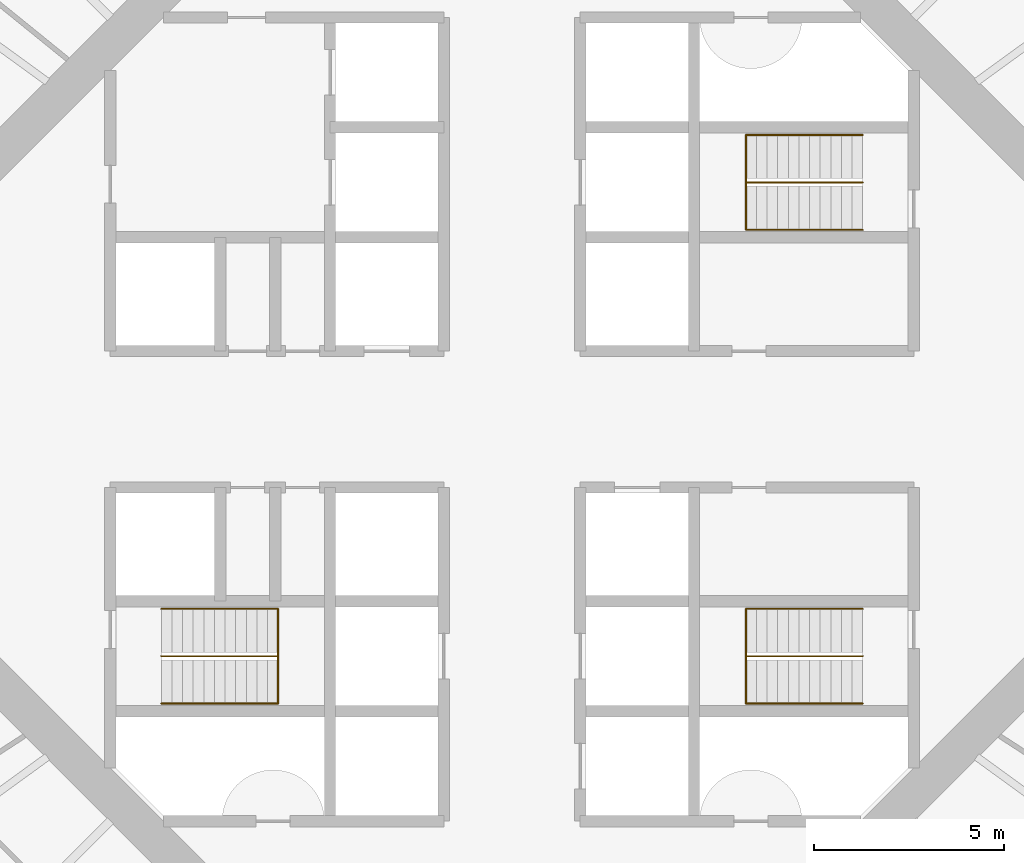
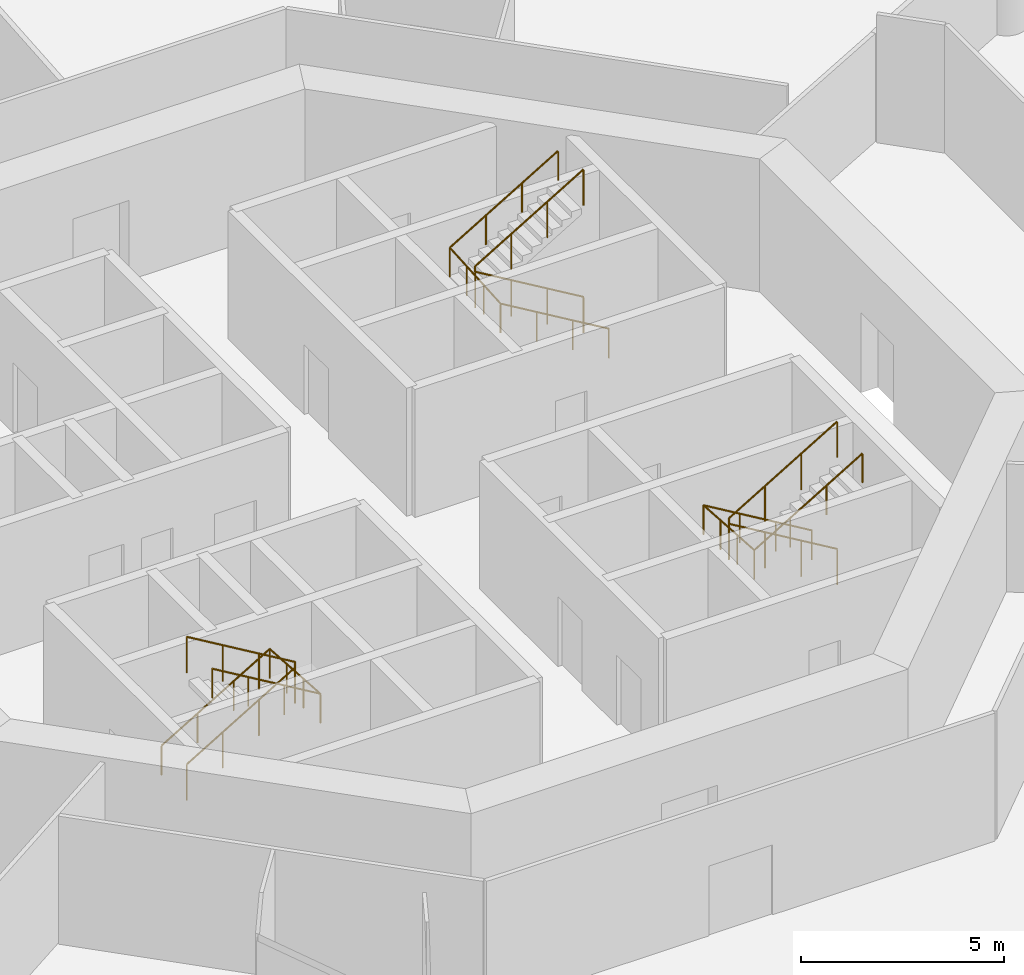
# One storey, part 17 of 17: 6 railings.
"""IFC4 building model written with IfcOpenShell, lengths in metres."""

from ifc_helpers import new_model, si_unit, direction, frame, origin, origin_2d, place, context, subcontext, project, spatial, circle, extrude, material, type_object, element, save


model = new_model("IFC4")

# Units and contexts
model_context = context("Model", 3, precision=1e-05, world=origin(), true_north=direction((0.0, 1.0)))
body_context = subcontext(model_context, "Body", "Model", "MODEL_VIEW")
ifc_project = project(units=[si_unit("LENGTHUNIT", "METRE"), si_unit("AREAUNIT", "SQUARE_METRE"), si_unit("VOLUMEUNIT", "CUBIC_METRE"), si_unit("PLANEANGLEUNIT", "RADIAN"), si_unit("MASSUNIT", "GRAM", prefix="KILO")], contexts=[model_context])

# Site, building, storey
site_placement = place(None, origin())
site = spatial("IfcSite", under=ifc_project, at=site_placement, CompositionType="ELEMENT")
building_placement = place(site_placement, origin())
building = spatial("IfcBuilding", under=site, at=building_placement, Name="Entoto Ring Tower", CompositionType="ELEMENT")
storey_placement = place(building_placement, frame((0.0, 0.0, 160.0)))
storey = spatial("IfcBuildingStorey", under=building, at=storey_placement, Name="L36", CompositionType="ELEMENT", Elevation=160.0)

# Railings
ifc_material_1 = material(Name="Steel S275", Category="steel")
railing_type_1 = type_object("IfcRailingType", Name="Stair guard 1100 mm steel", PredefinedType="GUARDRAIL", material=ifc_material_1)
railing_1_placement = place(storey_placement, frame((99.25, 86.25, 0.166748046875)))
element("IfcRailing", 1, at=railing_1_placement, inside=storey, type_object=railing_type_1, Name="Guard ST1", PredefinedType="GUARDRAIL", context=body_context, shape_type="SweptSolid", body=[
    extrude(circle(Radius=0.02392578125, at=origin_2d()), frame((0.0, 0.0, 1.076171875), z_axis=(-0.859308565015, 0.0, 0.511457515432), x_axis=(0.0, -1.0, 0.0)), (0.0, 0.0, 1.0), 3.58447265625),
    extrude(circle(Radius=0.02392578125, at=origin_2d()), frame((-3.080078125, 0.0, 2.9091796875), z_axis=(0.0, 0.0, 1.0), x_axis=(1.0, 0.0, 0.0)), (0.0, 0.0, 1.0), 0.166748046875),
    extrude(circle(Radius=0.02392578125, at=origin_2d()), frame((-3.080078125, 0.0, 3.076171875), z_axis=(0.859308565015, 0.0, 0.511457515432), x_axis=(0.0, 1.0, 0.0)), (0.0, 0.0, 1.0), 3.58447265625),
    extrude(circle(Radius=0.02099609375, at=origin_2d()), origin(), (0.0, 0.0, 1.0), 1.052001953125),
    extrude(circle(Radius=0.02099609375, at=origin_2d()), frame((-1.026611328125, 0.0, 0.611083984375)), (0.0, 0.0, 1.0), 1.052001953125),
    extrude(circle(Radius=0.02099609375, at=origin_2d()), frame((-2.053466796875, 0.0, 1.22216796875)), (0.0, 0.0, 1.0), 1.052001953125),
    extrude(circle(Radius=0.02099609375, at=origin_2d()), frame((-3.080078125, 0.0, 1.833251953125)), (0.0, 0.0, 1.0), 1.052001953125),
    extrude(circle(Radius=0.02099609375, at=origin_2d()), frame((-3.080078125, 0.0, 2.0)), (0.0, 0.0, 1.0), 1.052001953125),
    extrude(circle(Radius=0.02099609375, at=origin_2d()), frame((-2.053466796875, 0.0, 2.611083984375)), (0.0, 0.0, 1.0), 1.052001953125),
    extrude(circle(Radius=0.02099609375, at=origin_2d()), frame((-1.026611328125, 0.0, 3.22216796875)), (0.0, 0.0, 1.0), 1.052001953125),
    extrude(circle(Radius=0.02099609375, at=origin_2d()), frame((0.0, 0.0, 3.833251953125)), (0.0, 0.0, 1.0), 1.052001953125),
])
railing_2_placement = place(storey_placement, frame((80.75, 73.75, 0.166748046875)))
element("IfcRailing", 2, at=railing_2_placement, inside=storey, type_object=railing_type_1, Name="Guard ST2", PredefinedType="GUARDRAIL", context=body_context, shape_type="SweptSolid", body=[
    extrude(circle(Radius=0.02392578125, at=origin_2d()), frame((0.0, 0.0, 1.076171875), z_axis=(0.859308565015, 0.0, 0.511457515432), x_axis=(0.0, 1.0, 0.0)), (0.0, 0.0, 1.0), 3.58447265625),
    extrude(circle(Radius=0.02392578125, at=origin_2d()), frame((3.080078125, 0.0, 2.9091796875), z_axis=(0.0, 0.0, 1.0), x_axis=(1.0, 0.0, 0.0)), (0.0, 0.0, 1.0), 0.166748046875),
    extrude(circle(Radius=0.02392578125, at=origin_2d()), frame((3.080078125, 0.0, 3.076171875), z_axis=(-0.859308565015, 0.0, 0.511457515432), x_axis=(0.0, -1.0, 0.0)), (0.0, 0.0, 1.0), 3.58447265625),
    extrude(circle(Radius=0.02099609375, at=origin_2d()), origin(), (0.0, 0.0, 1.0), 1.052001953125),
    extrude(circle(Radius=0.02099609375, at=origin_2d()), frame((1.026611328125, 0.0, 0.611083984375)), (0.0, 0.0, 1.0), 1.052001953125),
    extrude(circle(Radius=0.02099609375, at=origin_2d()), frame((2.053466796875, 0.0, 1.22216796875)), (0.0, 0.0, 1.0), 1.052001953125),
    extrude(circle(Radius=0.02099609375, at=origin_2d()), frame((3.080078125, 0.0, 1.833251953125)), (0.0, 0.0, 1.0), 1.052001953125),
    extrude(circle(Radius=0.02099609375, at=origin_2d()), frame((3.080078125, 0.0, 2.0)), (0.0, 0.0, 1.0), 1.052001953125),
    extrude(circle(Radius=0.02099609375, at=origin_2d()), frame((2.053466796875, 0.0, 2.611083984375)), (0.0, 0.0, 1.0), 1.052001953125),
    extrude(circle(Radius=0.02099609375, at=origin_2d()), frame((1.026611328125, 0.0, 3.22216796875)), (0.0, 0.0, 1.0), 1.052001953125),
    extrude(circle(Radius=0.02099609375, at=origin_2d()), frame((0.0, 0.0, 3.833251953125)), (0.0, 0.0, 1.0), 1.052001953125),
])
railing_3_placement = place(storey_placement, frame((99.25, 73.75, 0.166748046875)))
element("IfcRailing", 3, at=railing_3_placement, inside=storey, type_object=railing_type_1, Name="Guard ST3", PredefinedType="GUARDRAIL", context=body_context, shape_type="SweptSolid", body=[
    extrude(circle(Radius=0.02392578125, at=origin_2d()), frame((0.0, 0.0, 1.076171875), z_axis=(-0.859308565015, 0.0, 0.511457515432), x_axis=(0.0, -1.0, 0.0)), (0.0, 0.0, 1.0), 3.58447265625),
    extrude(circle(Radius=0.02392578125, at=origin_2d()), frame((-3.080078125, 0.0, 2.9091796875), z_axis=(0.0, 0.0, 1.0), x_axis=(1.0, 0.0, 0.0)), (0.0, 0.0, 1.0), 0.166748046875),
    extrude(circle(Radius=0.02392578125, at=origin_2d()), frame((-3.080078125, 0.0, 3.076171875), z_axis=(0.859308565015, 0.0, 0.511457515432), x_axis=(0.0, 1.0, 0.0)), (0.0, 0.0, 1.0), 3.58447265625),
    extrude(circle(Radius=0.02099609375, at=origin_2d()), origin(), (0.0, 0.0, 1.0), 1.052001953125),
    extrude(circle(Radius=0.02099609375, at=origin_2d()), frame((-1.026611328125, 0.0, 0.611083984375)), (0.0, 0.0, 1.0), 1.052001953125),
    extrude(circle(Radius=0.02099609375, at=origin_2d()), frame((-2.053466796875, 0.0, 1.22216796875)), (0.0, 0.0, 1.0), 1.052001953125),
    extrude(circle(Radius=0.02099609375, at=origin_2d()), frame((-3.080078125, 0.0, 1.833251953125)), (0.0, 0.0, 1.0), 1.052001953125),
    extrude(circle(Radius=0.02099609375, at=origin_2d()), frame((-3.080078125, 0.0, 2.0)), (0.0, 0.0, 1.0), 1.052001953125),
    extrude(circle(Radius=0.02099609375, at=origin_2d()), frame((-2.053466796875, 0.0, 2.611083984375)), (0.0, 0.0, 1.0), 1.052001953125),
    extrude(circle(Radius=0.02099609375, at=origin_2d()), frame((-1.026611328125, 0.0, 3.22216796875)), (0.0, 0.0, 1.0), 1.052001953125),
    extrude(circle(Radius=0.02099609375, at=origin_2d()), frame((0.0, 0.0, 3.833251953125)), (0.0, 0.0, 1.0), 1.052001953125),
])
ifc_material_2 = material(Name="Steel S275", Category="steel")
railing_type_2 = type_object("IfcRailingType", Name="Stair handrail 900 mm steel", PredefinedType="HANDRAIL", material=ifc_material_2)
railing_4_placement = place(storey_placement, frame((99.25, 85.0, 0.166748046875)))
element("IfcRailing", 4, at=railing_4_placement, inside=storey, type_object=railing_type_2, Name="Handrail ST1", PredefinedType="HANDRAIL", context=body_context, shape_type="SweptSolid", body=[
    extrude(circle(Radius=0.02392578125, at=origin_2d()), frame((0.0, 0.0, 0.8759765625), z_axis=(-0.859308565015, 0.0, 0.511457515432), x_axis=(0.0, -1.0, 0.0)), (0.0, 0.0, 1.0), 3.58447265625),
    extrude(circle(Radius=0.02392578125, at=origin_2d()), frame((-3.080078125, 0.0, 2.708984375), z_axis=(0.0, 0.997783001586, 0.066551346688), x_axis=(-1.0, 0.0, 0.0)), (0.0, 0.0, 1.0), 2.505615234375),
    extrude(circle(Radius=0.02392578125, at=origin_2d()), frame((-3.080078125, 2.5, 2.8759765625), z_axis=(0.859308565015, 0.0, 0.511457515432), x_axis=(0.0, 1.0, 0.0)), (0.0, 0.0, 1.0), 3.58447265625),
    extrude(circle(Radius=0.02099609375, at=origin_2d()), origin(), (0.0, 0.0, 1.0), 0.851806640625),
    extrude(circle(Radius=0.02099609375, at=origin_2d()), frame((-1.026611328125, 0.0, 0.611083984375)), (0.0, 0.0, 1.0), 0.851806640625),
    extrude(circle(Radius=0.02099609375, at=origin_2d()), frame((-2.053466796875, 0.0, 1.22216796875)), (0.0, 0.0, 1.0), 0.851806640625),
    extrude(circle(Radius=0.02099609375, at=origin_2d()), frame((-3.080078125, 0.0, 1.833251953125)), (0.0, 0.0, 1.0), 0.851806640625),
    extrude(circle(Radius=0.02099609375, at=origin_2d()), frame((-3.080078125, 0.833251953125, 1.888916015625)), (0.0, 0.0, 1.0), 0.851806640625),
    extrude(circle(Radius=0.02099609375, at=origin_2d()), frame((-3.080078125, 1.666748046875, 1.9443359375)), (0.0, 0.0, 1.0), 0.851806640625),
    extrude(circle(Radius=0.02099609375, at=origin_2d()), frame((-3.080078125, 2.5, 2.0)), (0.0, 0.0, 1.0), 0.851806640625),
    extrude(circle(Radius=0.02099609375, at=origin_2d()), frame((-2.053466796875, 2.5, 2.611083984375)), (0.0, 0.0, 1.0), 0.851806640625),
    extrude(circle(Radius=0.02099609375, at=origin_2d()), frame((-1.026611328125, 2.5, 3.22216796875)), (0.0, 0.0, 1.0), 0.851806640625),
    extrude(circle(Radius=0.02099609375, at=origin_2d()), frame((0.0, 2.5, 3.833251953125)), (0.0, 0.0, 1.0), 0.851806640625),
])
railing_5_placement = place(storey_placement, frame((80.75, 75.0, 0.166748046875)))
element("IfcRailing", 5, at=railing_5_placement, inside=storey, type_object=railing_type_2, Name="Handrail ST2", PredefinedType="HANDRAIL", context=body_context, shape_type="SweptSolid", body=[
    extrude(circle(Radius=0.02392578125, at=origin_2d()), frame((0.0, 0.0, 0.8759765625), z_axis=(0.859308565015, 0.0, 0.511457515432), x_axis=(0.0, 1.0, 0.0)), (0.0, 0.0, 1.0), 3.58447265625),
    extrude(circle(Radius=0.02392578125, at=origin_2d()), frame((3.080078125, 0.0, 2.708984375), z_axis=(0.0, -0.997783001586, 0.066551346688), x_axis=(1.0, 0.0, 0.0)), (0.0, 0.0, 1.0), 2.505615234375),
    extrude(circle(Radius=0.02392578125, at=origin_2d()), frame((3.080078125, -2.5, 2.8759765625), z_axis=(-0.859308565015, 0.0, 0.511457515432), x_axis=(0.0, -1.0, 0.0)), (0.0, 0.0, 1.0), 3.58447265625),
    extrude(circle(Radius=0.02099609375, at=origin_2d()), origin(), (0.0, 0.0, 1.0), 0.851806640625),
    extrude(circle(Radius=0.02099609375, at=origin_2d()), frame((1.026611328125, 0.0, 0.611083984375)), (0.0, 0.0, 1.0), 0.851806640625),
    extrude(circle(Radius=0.02099609375, at=origin_2d()), frame((2.053466796875, 0.0, 1.22216796875)), (0.0, 0.0, 1.0), 0.851806640625),
    extrude(circle(Radius=0.02099609375, at=origin_2d()), frame((3.080078125, 0.0, 1.833251953125)), (0.0, 0.0, 1.0), 0.851806640625),
    extrude(circle(Radius=0.02099609375, at=origin_2d()), frame((3.080078125, -0.833251953125, 1.888916015625)), (0.0, 0.0, 1.0), 0.851806640625),
    extrude(circle(Radius=0.02099609375, at=origin_2d()), frame((3.080078125, -1.666748046875, 1.9443359375)), (0.0, 0.0, 1.0), 0.851806640625),
    extrude(circle(Radius=0.02099609375, at=origin_2d()), frame((3.080078125, -2.5, 2.0)), (0.0, 0.0, 1.0), 0.851806640625),
    extrude(circle(Radius=0.02099609375, at=origin_2d()), frame((2.053466796875, -2.5, 2.611083984375)), (0.0, 0.0, 1.0), 0.851806640625),
    extrude(circle(Radius=0.02099609375, at=origin_2d()), frame((1.026611328125, -2.5, 3.22216796875)), (0.0, 0.0, 1.0), 0.851806640625),
    extrude(circle(Radius=0.02099609375, at=origin_2d()), frame((0.0, -2.5, 3.833251953125)), (0.0, 0.0, 1.0), 0.851806640625),
])
railing_6_placement = place(storey_placement, frame((99.25, 75.0, 0.166748046875)))
element("IfcRailing", 6, at=railing_6_placement, inside=storey, type_object=railing_type_2, Name="Handrail ST3", PredefinedType="HANDRAIL", context=body_context, shape_type="SweptSolid", body=[
    extrude(circle(Radius=0.02392578125, at=origin_2d()), frame((0.0, 0.0, 0.8759765625), z_axis=(-0.859308565015, 0.0, 0.511457515432), x_axis=(0.0, -1.0, 0.0)), (0.0, 0.0, 1.0), 3.58447265625),
    extrude(circle(Radius=0.02392578125, at=origin_2d()), frame((-3.080078125, 0.0, 2.708984375), z_axis=(0.0, -0.997783001586, 0.066551346688), x_axis=(1.0, 0.0, 0.0)), (0.0, 0.0, 1.0), 2.505615234375),
    extrude(circle(Radius=0.02392578125, at=origin_2d()), frame((-3.080078125, -2.5, 2.8759765625), z_axis=(0.859308565015, 0.0, 0.511457515432), x_axis=(0.0, 1.0, 0.0)), (0.0, 0.0, 1.0), 3.58447265625),
    extrude(circle(Radius=0.02099609375, at=origin_2d()), origin(), (0.0, 0.0, 1.0), 0.851806640625),
    extrude(circle(Radius=0.02099609375, at=origin_2d()), frame((-1.026611328125, 0.0, 0.611083984375)), (0.0, 0.0, 1.0), 0.851806640625),
    extrude(circle(Radius=0.02099609375, at=origin_2d()), frame((-2.053466796875, 0.0, 1.22216796875)), (0.0, 0.0, 1.0), 0.851806640625),
    extrude(circle(Radius=0.02099609375, at=origin_2d()), frame((-3.080078125, 0.0, 1.833251953125)), (0.0, 0.0, 1.0), 0.851806640625),
    extrude(circle(Radius=0.02099609375, at=origin_2d()), frame((-3.080078125, -0.833251953125, 1.888916015625)), (0.0, 0.0, 1.0), 0.851806640625),
    extrude(circle(Radius=0.02099609375, at=origin_2d()), frame((-3.080078125, -1.666748046875, 1.9443359375)), (0.0, 0.0, 1.0), 0.851806640625),
    extrude(circle(Radius=0.02099609375, at=origin_2d()), frame((-3.080078125, -2.5, 2.0)), (0.0, 0.0, 1.0), 0.851806640625),
    extrude(circle(Radius=0.02099609375, at=origin_2d()), frame((-2.053466796875, -2.5, 2.611083984375)), (0.0, 0.0, 1.0), 0.851806640625),
    extrude(circle(Radius=0.02099609375, at=origin_2d()), frame((-1.026611328125, -2.5, 3.22216796875)), (0.0, 0.0, 1.0), 0.851806640625),
    extrude(circle(Radius=0.02099609375, at=origin_2d()), frame((0.0, -2.5, 3.833251953125)), (0.0, 0.0, 1.0), 0.851806640625),
])

save(model, "model.ifc")
